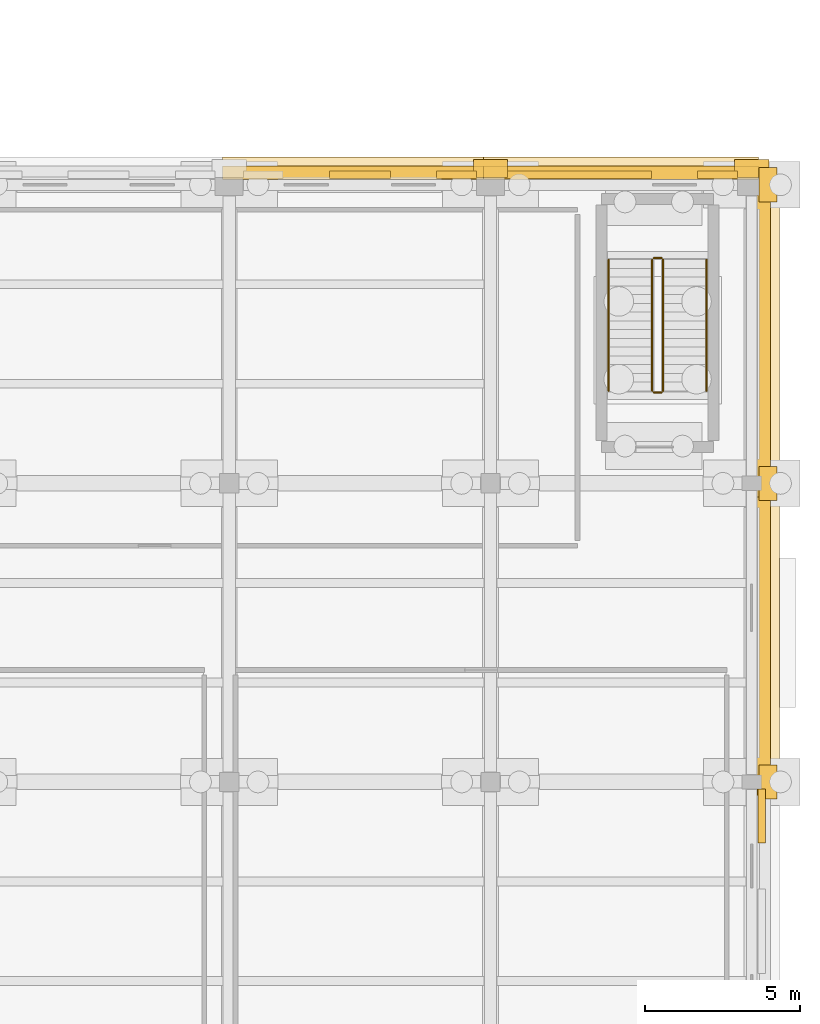
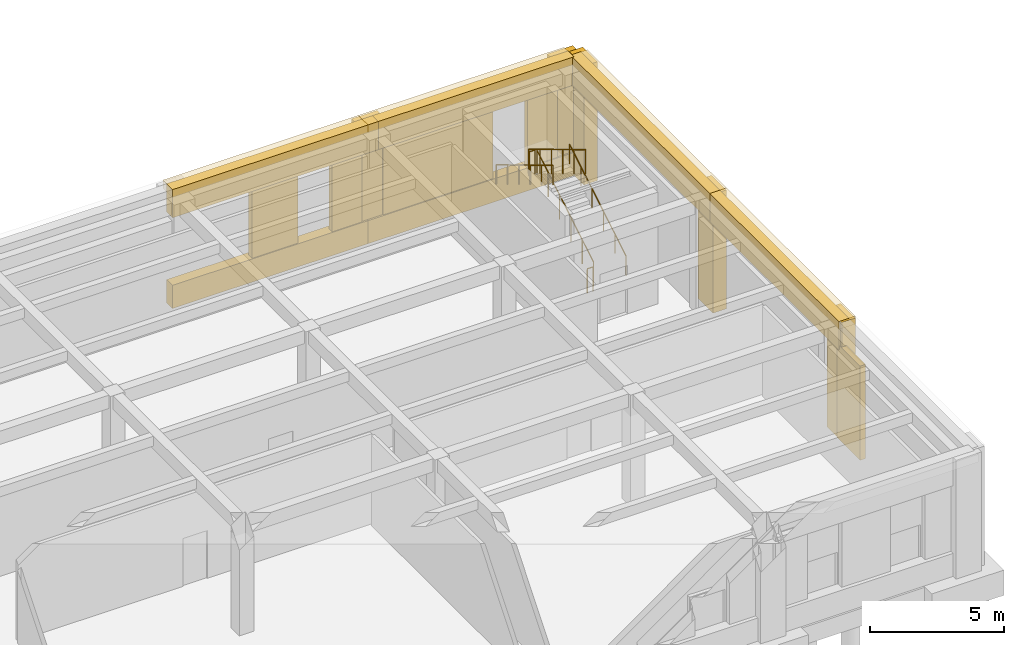
# One storey, part 50 of 51: 20 coverings, 6 railings.
"""IFC4 building model written with IfcOpenShell, lengths in metres."""

from ifc_helpers import new_model, si_unit, direction, frame, origin, origin_2d, place, context, subcontext, project, spatial, rectangle, circle, extrude, material, layer, layer_set, type_object, element, save


model = new_model("IFC4")

# Units and contexts
model_context = context("Model", 3, precision=1e-05, world=origin(), true_north=direction((0.0, 1.0)))
body_context = subcontext(model_context, "Body", "Model", "MODEL_VIEW")
ifc_project = project(units=[si_unit("LENGTHUNIT", "METRE"), si_unit("AREAUNIT", "SQUARE_METRE"), si_unit("VOLUMEUNIT", "CUBIC_METRE"), si_unit("PLANEANGLEUNIT", "RADIAN"), si_unit("MASSUNIT", "GRAM", prefix="KILO")], contexts=[model_context])

# Site, building, storey
site_placement = place(None, origin())
site = spatial("IfcSite", under=ifc_project, at=site_placement, CompositionType="ELEMENT")
building_placement = place(site_placement, origin())
building = spatial("IfcBuilding", under=site, at=building_placement, Name="Bempovik Park Faculty of Sciences", CompositionType="ELEMENT")
storey_placement = place(building_placement, origin())
storey = spatial("IfcBuildingStorey", under=building, at=storey_placement, Name="L00", CompositionType="ELEMENT", Elevation=0.0)

# Coverings
ifc_material_1 = material(Name="Precast concrete C40/50", Category="concrete")
ifc_layer_1 = layer(ifc_material_1, 0.179931640625)
ifc_layer_set_1 = layer_set([ifc_layer_1], Name="Precast concrete C40/50")
covering_type_1 = type_object("IfcCoveringType", Name="CL-02 Classical Cornice Band 180mm", PredefinedType="CLADDING", material=ifc_layer_set_1)
for number, where, z_axis, x_axis, name in (
    (1, (157.800048828125, 87.530029296875, 5.0400390625), (0.0, 0.0, 1.0), (1.0, 0.0, 0.0), "L00 Classical Projecting Dentil Cornice EW-L00-5962"),
    (2, (166.199951171875, 87.530029296875, 5.0400390625), (0.0, 0.0, 1.0), (1.0, 0.0, 0.0), "L00 Classical Projecting Dentil Cornice EW-L00-5972"),
):
    element("IfcCovering", number, at=place(storey_placement, frame(where, z_axis=z_axis, x_axis=x_axis)), inside=storey, type_object=covering_type_1, Name=name, PredefinedType="CLADDING", context=body_context, shape_type="SweptSolid", body=[
        extrude(rectangle(XDim=8.845947265625, YDim=0.719970703125, at=origin_2d()), origin(), (0.0, 0.0, 1.0), 0.360107421875),
    ])
covering_1_placement = place(storey_placement, frame((170.929931640625, 72.60009765625, 5.0400390625), z_axis=(0.0, 0.0, 1.0), x_axis=(1.0, 0.0, 0.0)))
element("IfcCovering", 3, at=covering_1_placement, inside=storey, type_object=covering_type_1, Name="L00 Classical Projecting Dentil Cornice EW-L00-5991", PredefinedType="CLADDING", context=body_context, shape_type="SweptSolid", body=[
    extrude(rectangle(XDim=0.719970703125, YDim=10.486083984375, at=origin_2d()), origin(), (0.0, 0.0, 1.0), 0.360107421875),
])
covering_2_placement = place(storey_placement, frame((170.929931640625, 82.139892578125, 5.0400390625), z_axis=(0.0, 0.0, 1.0), x_axis=(1.0, 0.0, 0.0)))
element("IfcCovering", 4, at=covering_2_placement, inside=storey, type_object=covering_type_1, Name="L00 Classical Projecting Dentil Cornice EW-L00-5995", PredefinedType="CLADDING", context=body_context, shape_type="SweptSolid", body=[
    extrude(rectangle(XDim=0.719970703125, YDim=10.365966796875, at=origin_2d()), origin(), (0.0, 0.0, 1.0), 0.360107421875),
])
ifc_material_2 = material(Name="White reconstituted limestone precast C40/50", Category="masonry")
ifc_layer_2 = layer(ifc_material_2, 0.239990234375)
ifc_layer_set_2 = layer_set([ifc_layer_2], Name="White reconstituted limestone precast C40/50")
covering_type_2 = type_object("IfcCoveringType", Name="CL-03 Classical Fluted Limestone Pilaster 240mm", PredefinedType="CLADDING", material=ifc_layer_set_2)
covering_3_placement = place(storey_placement, frame((157.800048828125, 87.389892578125, 4.1201171875), z_axis=(0.0, 0.0, 1.0), x_axis=(1.0, 0.0, 0.0)))
element("IfcCovering", 5, at=covering_3_placement, inside=storey, type_object=covering_type_2, Name="L00 Classical Limestone Spandrel Entablature EW-L00-5962", PredefinedType="CLADDING", context=body_context, shape_type="SweptSolid", body=[
    extrude(rectangle(XDim=8.845947265625, YDim=0.43994140625, at=origin_2d()), origin(), (0.0, 0.0, 1.0), 1.280029296875),
])
covering_4_placement = place(storey_placement, frame((157.800048828125, 87.389892578125, 0.0), z_axis=(0.0, 0.0, 1.0), x_axis=(1.0, 0.0, 0.0)))
element("IfcCovering", 6, at=covering_4_placement, inside=storey, type_object=covering_type_2, Name="L00 Classical Limestone Sill Dado EW-L00-5962", PredefinedType="CLADDING", context=body_context, shape_type="SweptSolid", body=[
    extrude(rectangle(XDim=8.845947265625, YDim=0.43994140625, at=origin_2d()), origin(), (0.0, 0.0, 1.0), 1.050048828125),
])
covering_5_placement = place(storey_placement, frame((162.0, 87.530029296875, 0.0), z_axis=(0.0, 0.0, 1.0), x_axis=(1.0, 0.0, 0.0)))
element("IfcCovering", 7, at=covering_5_placement, inside=storey, type_object=covering_type_2, Name="L00 Classical Fluted Stone Pilaster PIL-BA-L00-1620-875", PredefinedType="CLADDING", context=body_context, shape_type="SweptSolid", body=[
    extrude(rectangle(XDim=1.10009765625, YDim=0.580078125, at=origin_2d()), origin(), (0.0, 0.0, 1.0), 5.39990234375),
])
covering_6_placement = place(storey_placement, frame((157.800048828125, 87.330078125, 0.0), z_axis=(0.0, 0.0, 1.0), x_axis=(1.0, 0.0, 0.0)))
element("IfcCovering", 8, at=covering_6_placement, inside=storey, type_object=covering_type_2, Name="L00 White Limestone Wall Cheek EW-L00-5962-2", PredefinedType="CLADDING", context=body_context, shape_type="SweptSolid", body=[
    extrude(rectangle(XDim=1.96826171875, YDim=0.239990234375, at=origin_2d()), origin(), (0.0, 0.0, 1.0), 4.280029296875),
])
covering_7_placement = place(storey_placement, frame((160.906005859375, 87.330078125, 0.0), z_axis=(0.0, 0.0, 1.0), x_axis=(1.0, 0.0, 0.0)))
element("IfcCovering", 9, at=covering_7_placement, inside=storey, type_object=covering_type_2, Name="L00 White Limestone Wall Cheek EW-L00-5962-4", PredefinedType="CLADDING", context=body_context, shape_type="SweptSolid", body=[
    extrude(rectangle(XDim=1.283935546875, YDim=0.239990234375, at=origin_2d()), origin(), (0.0, 0.0, 1.0), 4.280029296875),
])
covering_8_placement = place(storey_placement, frame((166.199951171875, 87.389892578125, 4.1201171875), z_axis=(0.0, 0.0, 1.0), x_axis=(1.0, 0.0, 0.0)))
element("IfcCovering", 10, at=covering_8_placement, inside=storey, type_object=covering_type_2, Name="L00 Classical Limestone Spandrel Entablature EW-L00-5972", PredefinedType="CLADDING", context=body_context, shape_type="SweptSolid", body=[
    extrude(rectangle(XDim=8.845947265625, YDim=0.43994140625, at=origin_2d()), origin(), (0.0, 0.0, 1.0), 1.280029296875),
])
covering_9_placement = place(storey_placement, frame((166.199951171875, 87.389892578125, 0.0), z_axis=(0.0, 0.0, 1.0), x_axis=(1.0, 0.0, 0.0)))
element("IfcCovering", 11, at=covering_9_placement, inside=storey, type_object=covering_type_2, Name="L00 Classical Limestone Sill Dado EW-L00-5972", PredefinedType="CLADDING", context=body_context, shape_type="SweptSolid", body=[
    extrude(rectangle(XDim=8.845947265625, YDim=0.43994140625, at=origin_2d()), origin(), (0.0, 0.0, 1.0), 1.050048828125),
])
covering_10_placement = place(storey_placement, frame((170.39990234375, 87.530029296875, 0.0), z_axis=(0.0, 0.0, 1.0), x_axis=(1.0, 0.0, 0.0)))
element("IfcCovering", 12, at=covering_10_placement, inside=storey, type_object=covering_type_2, Name="L00 Classical Fluted Stone Pilaster PIL-BA-L00-1704-875", PredefinedType="CLADDING", context=body_context, shape_type="SweptSolid", body=[
    extrude(rectangle(XDim=1.10009765625, YDim=0.580078125, at=origin_2d()), origin(), (0.0, 0.0, 1.0), 5.39990234375),
])
covering_11_placement = place(storey_placement, frame((164.818115234375, 87.330078125, 0.0), z_axis=(0.0, 0.0, 1.0), x_axis=(1.0, 0.0, 0.0)))
element("IfcCovering", 13, at=covering_11_placement, inside=storey, type_object=covering_type_2, Name="L00 White Limestone Wall Cheek EW-L00-5972-0", PredefinedType="CLADDING", context=body_context, shape_type="SweptSolid", body=[
    extrude(rectangle(XDim=4.732177734375, YDim=0.239990234375, at=origin_2d()), origin(), (0.0, 0.0, 1.0), 4.280029296875),
])
covering_12_placement = place(storey_placement, frame((169.305908203125, 87.330078125, 0.0), z_axis=(0.0, 0.0, 1.0), x_axis=(1.0, 0.0, 0.0)))
element("IfcCovering", 14, at=covering_12_placement, inside=storey, type_object=covering_type_2, Name="L00 White Limestone Wall Cheek EW-L00-5972-2", PredefinedType="CLADDING", context=body_context, shape_type="SweptSolid", body=[
    extrude(rectangle(XDim=1.283935546875, YDim=0.239990234375, at=origin_2d()), origin(), (0.0, 0.0, 1.0), 4.280029296875),
])
covering_13_placement = place(storey_placement, frame((170.929931640625, 67.800048828125, 0.0), z_axis=(0.0, 0.0, 1.0), x_axis=(1.0, 0.0, 0.0)))
element("IfcCovering", 15, at=covering_13_placement, inside=storey, type_object=covering_type_2, Name="L00 Classical Fluted Stone Pilaster PIL-BA-L00-1709-678", PredefinedType="CLADDING", context=body_context, shape_type="SweptSolid", body=[
    extrude(rectangle(XDim=0.580078125, YDim=1.10009765625, at=origin_2d()), origin(), (0.0, 0.0, 1.0), 5.39990234375),
])
covering_14_placement = place(storey_placement, frame((170.72998046875, 66.70458984375, 0.0), z_axis=(0.0, 0.0, 1.0), x_axis=(1.0, 0.0, 0.0)))
element("IfcCovering", 16, at=covering_14_placement, inside=storey, type_object=covering_type_2, Name="L00 White Limestone Wall Cheek EW-L00-5980-4", PredefinedType="CLADDING", context=body_context, shape_type="SweptSolid", body=[
    extrude(rectangle(XDim=0.239990234375, YDim=1.726806640625, at=origin_2d()), origin(), (0.0, 0.0, 1.0), 4.280029296875),
])
covering_15_placement = place(storey_placement, frame((170.7900390625, 72.60009765625, 4.1201171875), z_axis=(0.0, 0.0, 1.0), x_axis=(1.0, 0.0, 0.0)))
element("IfcCovering", 17, at=covering_15_placement, inside=storey, type_object=covering_type_2, Name="L00 Classical Limestone Spandrel Entablature EW-L00-5991", PredefinedType="CLADDING", context=body_context, shape_type="SweptSolid", body=[
    extrude(rectangle(XDim=0.43994140625, YDim=10.486083984375, at=origin_2d()), origin(), (0.0, 0.0, 1.0), 1.280029296875),
])
covering_16_placement = place(storey_placement, frame((170.929931640625, 77.39990234375, 0.0), z_axis=(0.0, 0.0, 1.0), x_axis=(1.0, 0.0, 0.0)))
element("IfcCovering", 18, at=covering_16_placement, inside=storey, type_object=covering_type_2, Name="L00 Classical Fluted Stone Pilaster PIL-BA-L00-1709-774", PredefinedType="CLADDING", context=body_context, shape_type="SweptSolid", body=[
    extrude(rectangle(XDim=0.580078125, YDim=1.10009765625, at=origin_2d()), origin(), (0.0, 0.0, 1.0), 5.39990234375),
])
covering_17_placement = place(storey_placement, frame((170.7900390625, 82.139892578125, 4.1201171875), z_axis=(0.0, 0.0, 1.0), x_axis=(1.0, 0.0, 0.0)))
element("IfcCovering", 19, at=covering_17_placement, inside=storey, type_object=covering_type_2, Name="L00 Classical Limestone Spandrel Entablature EW-L00-5995", PredefinedType="CLADDING", context=body_context, shape_type="SweptSolid", body=[
    extrude(rectangle(XDim=0.43994140625, YDim=10.365966796875, at=origin_2d()), origin(), (0.0, 0.0, 1.0), 1.280029296875),
])
covering_18_placement = place(storey_placement, frame((170.929931640625, 87.0, 0.0), z_axis=(0.0, 0.0, 1.0), x_axis=(1.0, 0.0, 0.0)))
element("IfcCovering", 20, at=covering_18_placement, inside=storey, type_object=covering_type_2, Name="L00 Classical Fluted Stone Pilaster PIL-BA-L00-1709-870", PredefinedType="CLADDING", context=body_context, shape_type="SweptSolid", body=[
    extrude(rectangle(XDim=0.580078125, YDim=1.10009765625, at=origin_2d()), origin(), (0.0, 0.0, 1.0), 5.39990234375),
])

# Railings
ifc_material_3 = material(Name="Anodised architectural bronze")
railing_type_1 = type_object("IfcRailingType", Name="GR-01 Guardrail 1120mm", PredefinedType="GUARDRAIL", material=ifc_material_3)
railing_1_placement = place(storey_placement, frame((167.550048828125, 80.375, 0.168701171875)))
element("IfcRailing", 21, at=railing_1_placement, inside=storey, type_object=railing_type_1, Name="L00 ST-6 Stair Guard 1", PredefinedType="GUARDRAIL", context=body_context, shape_type="SweptSolid", body=[
    extrude(circle(Radius=0.02392578125, at=origin_2d()), frame((0.0, 0.0, 1.09619140625), z_axis=(0.0, 0.857492925713, 0.514495755428), x_axis=(-1.0, 0.0, 0.0)), (0.0, 0.0, 1.0), 4.919921875),
    extrude(circle(Radius=0.02099609375, at=origin_2d()), origin(), (0.0, 0.0, 1.0), 1.072021484375),
    extrude(circle(Radius=0.02099609375, at=origin_2d()), frame((0.0, 0.84375, 0.50634765625)), (0.0, 0.0, 1.0), 1.072021484375),
    extrude(circle(Radius=0.02099609375, at=origin_2d()), frame((0.0, 1.6875, 1.012451171875)), (0.0, 0.0, 1.0), 1.072021484375),
    extrude(circle(Radius=0.02099609375, at=origin_2d()), frame((0.0, 2.53125, 1.518798828125)), (0.0, 0.0, 1.0), 1.072021484375),
    extrude(circle(Radius=0.02099609375, at=origin_2d()), frame((0.0, 3.375, 2.02490234375)), (0.0, 0.0, 1.0), 1.072021484375),
    extrude(circle(Radius=0.02099609375, at=origin_2d()), frame((0.0, 4.21875, 2.53125)), (0.0, 0.0, 1.0), 1.072021484375),
])
railing_2_placement = place(storey_placement, frame((167.5, 84.643798828125, 2.699951171875)))
element("IfcRailing", 22, at=railing_2_placement, inside=storey, type_object=railing_type_1, Name="L00 ST-6 Stair Guard 2", PredefinedType="GUARDRAIL", context=body_context, shape_type="SweptSolid", body=[
    extrude(circle(Radius=0.02392578125, at=origin_2d()), frame((0.0, 0.0, 1.09619140625), z_axis=(-1.0, 0.0, 0.0), x_axis=(0.0, -1.0, 0.0)), (0.0, 0.0, 1.0), 0.25),
    extrude(circle(Radius=0.02099609375, at=origin_2d()), origin(), (0.0, 0.0, 1.0), 1.072021484375),
    extrude(circle(Radius=0.02099609375, at=origin_2d()), frame((-0.25, 0.0, 0.0)), (0.0, 0.0, 1.0), 1.072021484375),
])
railing_3_placement = place(storey_placement, frame((167.199951171875, 84.59375, 2.86865234375)))
element("IfcRailing", 23, at=railing_3_placement, inside=storey, type_object=railing_type_1, Name="L00 ST-6 Stair Guard 3", PredefinedType="GUARDRAIL", context=body_context, shape_type="SweptSolid", body=[
    extrude(circle(Radius=0.02392578125, at=origin_2d()), frame((0.0, 0.0, 1.09619140625), z_axis=(0.0, -0.857492925713, 0.514495755428), x_axis=(1.0, 0.0, 0.0)), (0.0, 0.0, 1.0), 4.919921875),
    extrude(circle(Radius=0.02099609375, at=origin_2d()), origin(), (0.0, 0.0, 1.0), 1.072021484375),
    extrude(circle(Radius=0.02099609375, at=origin_2d()), frame((0.0, -0.84375, 0.50634765625)), (0.0, 0.0, 1.0), 1.072021484375),
    extrude(circle(Radius=0.02099609375, at=origin_2d()), frame((0.0, -1.6875, 1.012451171875)), (0.0, 0.0, 1.0), 1.072021484375),
    extrude(circle(Radius=0.02099609375, at=origin_2d()), frame((0.0, -2.53125, 1.518798828125)), (0.0, 0.0, 1.0), 1.072021484375),
    extrude(circle(Radius=0.02099609375, at=origin_2d()), frame((0.0, -3.375, 2.02490234375)), (0.0, 0.0, 1.0), 1.072021484375),
    extrude(circle(Radius=0.02099609375, at=origin_2d()), frame((0.0, -4.21875, 2.53125)), (0.0, 0.0, 1.0), 1.072021484375),
])
railing_4_placement = place(storey_placement, frame((167.5, 80.324951171875, 0.0)))
element("IfcRailing", 24, at=railing_4_placement, inside=storey, type_object=railing_type_1, Name="L00 ST-6 Stair Guard 4", PredefinedType="GUARDRAIL", context=body_context, shape_type="SweptSolid", body=[
    extrude(circle(Radius=0.02392578125, at=origin_2d()), frame((0.0, 0.0, 1.09619140625), z_axis=(-1.0, 0.0, 0.0), x_axis=(0.0, -1.0, 0.0)), (0.0, 0.0, 1.0), 0.25),
    extrude(circle(Radius=0.02099609375, at=origin_2d()), origin(), (0.0, 0.0, 1.0), 1.072021484375),
    extrude(circle(Radius=0.02099609375, at=origin_2d()), frame((-0.25, 0.0, 0.0)), (0.0, 0.0, 1.0), 1.072021484375),
])
railing_type_2 = type_object("IfcRailingType", Name="HR-01 Wall Handrail 900mm", PredefinedType="HANDRAIL", material=ifc_material_3)
railing_5_placement = place(storey_placement, frame((168.949951171875, 80.375, 0.168701171875)))
element("IfcRailing", 25, at=railing_5_placement, inside=storey, type_object=railing_type_2, Name="L00 ST-6 Stair Handrail 1", PredefinedType="HANDRAIL", context=body_context, shape_type="SweptSolid", body=[
    extrude(circle(Radius=0.02392578125, at=origin_2d()), frame((0.0, 0.0, 0.8759765625), z_axis=(0.0, 0.857492925713, 0.514495755428), x_axis=(-1.0, 0.0, 0.0)), (0.0, 0.0, 1.0), 4.919921875),
    extrude(circle(Radius=0.02099609375, at=origin_2d()), origin(), (0.0, 0.0, 1.0), 0.851806640625),
    extrude(circle(Radius=0.02099609375, at=origin_2d()), frame((0.0, 0.84375, 0.50634765625)), (0.0, 0.0, 1.0), 0.851806640625),
    extrude(circle(Radius=0.02099609375, at=origin_2d()), frame((0.0, 1.6875, 1.012451171875)), (0.0, 0.0, 1.0), 0.851806640625),
    extrude(circle(Radius=0.02099609375, at=origin_2d()), frame((0.0, 2.53125, 1.518798828125)), (0.0, 0.0, 1.0), 0.851806640625),
    extrude(circle(Radius=0.02099609375, at=origin_2d()), frame((0.0, 3.375, 2.02490234375)), (0.0, 0.0, 1.0), 0.851806640625),
    extrude(circle(Radius=0.02099609375, at=origin_2d()), frame((0.0, 4.21875, 2.53125)), (0.0, 0.0, 1.0), 0.851806640625),
])
railing_6_placement = place(storey_placement, frame((165.800048828125, 84.59375, 2.86865234375)))
element("IfcRailing", 26, at=railing_6_placement, inside=storey, type_object=railing_type_2, Name="L00 ST-6 Stair Handrail 2", PredefinedType="HANDRAIL", context=body_context, shape_type="SweptSolid", body=[
    extrude(circle(Radius=0.02392578125, at=origin_2d()), frame((0.0, 0.0, 0.8759765625), z_axis=(0.0, -0.857492925713, 0.514495755428), x_axis=(1.0, 0.0, 0.0)), (0.0, 0.0, 1.0), 4.919921875),
    extrude(circle(Radius=0.02099609375, at=origin_2d()), origin(), (0.0, 0.0, 1.0), 0.851806640625),
    extrude(circle(Radius=0.02099609375, at=origin_2d()), frame((0.0, -0.84375, 0.50634765625)), (0.0, 0.0, 1.0), 0.851806640625),
    extrude(circle(Radius=0.02099609375, at=origin_2d()), frame((0.0, -1.6875, 1.012451171875)), (0.0, 0.0, 1.0), 0.851806640625),
    extrude(circle(Radius=0.02099609375, at=origin_2d()), frame((0.0, -2.53125, 1.518798828125)), (0.0, 0.0, 1.0), 0.851806640625),
    extrude(circle(Radius=0.02099609375, at=origin_2d()), frame((0.0, -3.375, 2.02490234375)), (0.0, 0.0, 1.0), 0.851806640625),
    extrude(circle(Radius=0.02099609375, at=origin_2d()), frame((0.0, -4.21875, 2.53125)), (0.0, 0.0, 1.0), 0.851806640625),
])

save(model, "model.ifc")
